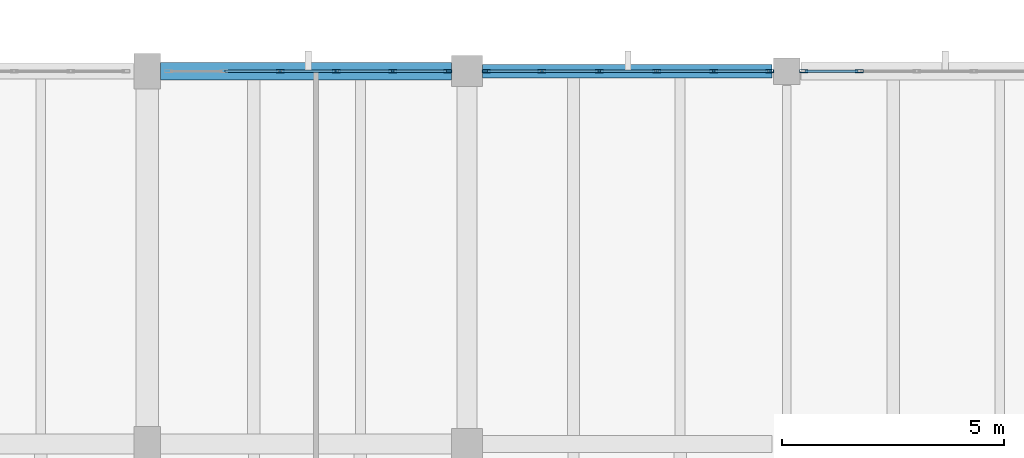
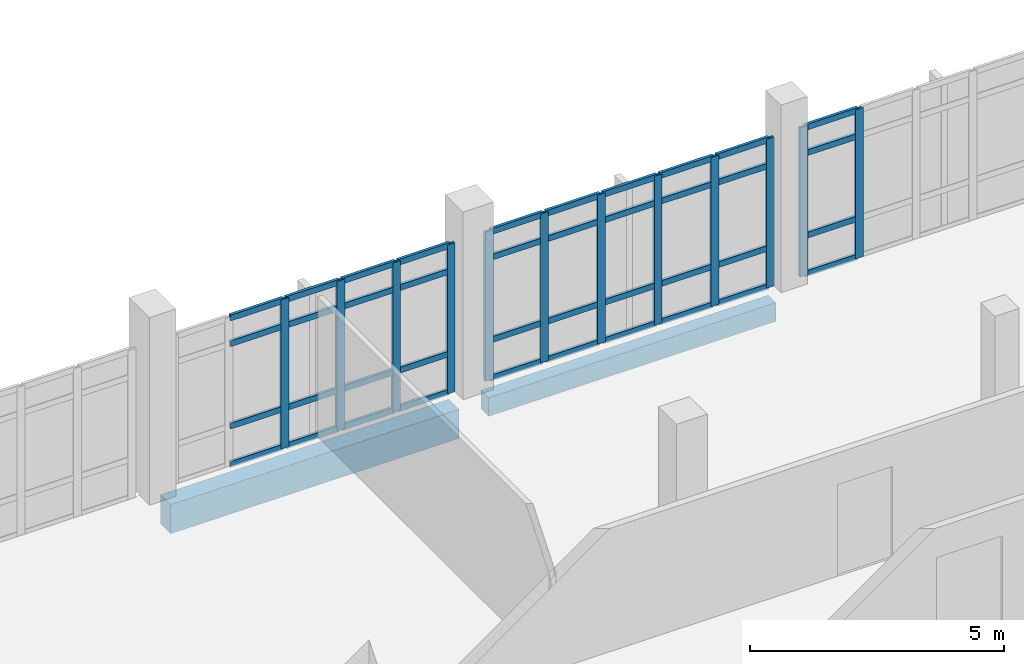
# One storey, part 55 of 87: 52 members, 2 beams, 3 elements without a shape of their own.
"""IFC4 building model written with IfcOpenShell, lengths in metres."""

from ifc_helpers import new_model, si_unit, direction, frame, origin, origin_2d, place, context, subcontext, project, spatial, rectangle, hollow_rectangle, extrude, material, material_profile, profile_set, type_object, element, aggregate, save


model = new_model("IFC4")

# Units and contexts
model_context = context("Model", 3, precision=1e-05, world=origin(), true_north=direction((0.0, 1.0)))
body_context = subcontext(model_context, "Body", "Model", "MODEL_VIEW")
ifc_project = project(units=[si_unit("LENGTHUNIT", "METRE"), si_unit("AREAUNIT", "SQUARE_METRE"), si_unit("VOLUMEUNIT", "CUBIC_METRE"), si_unit("PLANEANGLEUNIT", "RADIAN"), si_unit("MASSUNIT", "GRAM", prefix="KILO")], contexts=[model_context])

# Site, building, storey
site_placement = place(None, origin())
site = spatial("IfcSite", under=ifc_project, at=site_placement, CompositionType="ELEMENT")
building_placement = place(site_placement, origin())
building = spatial("IfcBuilding", under=site, at=building_placement, Name="Kalluvel Institute of Natural Sciences", CompositionType="ELEMENT")
storey_placement = place(building_placement, frame((0.0, 0.0, 18.89990234375)))
storey = spatial("IfcBuildingStorey", under=building, at=storey_placement, Name="L04", CompositionType="ELEMENT", Elevation=18.89990234375)

# Curtain wall, members
ifc_material_1 = material(Name="Aluminium AW-6063 T6", Category="aluminium")
curtain_wall_type = type_object("IfcCurtainWallType", Name="CW-WET-45", PredefinedType="USERDEFINED", material=ifc_material_1)
curtain_wall_1_placement = place(storey_placement, origin())
curtain_wall_1 = element("IfcCurtainWall", 1, at=curtain_wall_1_placement, inside=storey, type_object=curtain_wall_type, Name="L04 Gothic lancet curtain wall CWA-L04-X936-Y1280", ObjectType="UNITISED LANCET FACADE", PredefinedType="USERDEFINED")
ifc_material_profile_1 = material_profile(ifc_material_1, hollow_rectangle(XDim=0.06494140625, YDim=0.179931640625, WallThickness=0.00439453125, at=origin_2d()), Name="CWM 65x180")
ifc_profile_set_1 = profile_set([ifc_material_profile_1], Name="Aluminium AW-6063 T6")
member_type_1 = type_object("IfcMemberType", Name="CWM-65x180", PredefinedType="MULLION", material=ifc_profile_set_1)
member_1_placement = place(storey_placement, frame((96.18994140625, 128.0, 0.0), z_axis=(0.0, 0.0, 1.0), x_axis=(0.0, 1.0, 0.0)))
member_1 = element("IfcMember", 2, at=member_1_placement, type_object=member_type_1, Name="CW-01 mullion 3", PredefinedType="MULLION", context=body_context, shape_type="SweptSolid", body=[
    extrude(hollow_rectangle(XDim=0.06494140625, YDim=0.179931640625, WallThickness=0.00439453125, at=origin_2d()), origin(), (0.0, 0.0, 1.0), 3.580078125),
])
member_2_placement = place(storey_placement, frame((97.4599609375, 128.0, 0.0), z_axis=(0.0, 0.0, 1.0), x_axis=(0.0, 1.0, 0.0)))
member_2 = element("IfcMember", 3, at=member_2_placement, type_object=member_type_1, Name="CW-01 mullion 4", PredefinedType="MULLION", context=body_context, shape_type="SweptSolid", body=[
    extrude(hollow_rectangle(XDim=0.06494140625, YDim=0.179931640625, WallThickness=0.00439453125, at=origin_2d()), origin(), (0.0, 0.0, 1.0), 3.580078125),
])
member_3_placement = place(storey_placement, frame((98.72998046875, 128.0, 0.0), z_axis=(0.0, 0.0, 1.0), x_axis=(0.0, 1.0, 0.0)))
member_3 = element("IfcMember", 4, at=member_3_placement, type_object=member_type_1, Name="CW-01 mullion 5", PredefinedType="MULLION", context=body_context, shape_type="SweptSolid", body=[
    extrude(hollow_rectangle(XDim=0.06494140625, YDim=0.179931640625, WallThickness=0.00439453125, at=origin_2d()), origin(), (0.0, 0.0, 1.0), 3.580078125),
])
member_4_placement = place(storey_placement, frame((99.967529296875, 128.0, 0.0), z_axis=(0.0, 0.0, 1.0), x_axis=(0.0, 1.0, 0.0)))
member_4 = element("IfcMember", 5, at=member_4_placement, type_object=member_type_1, Name="CW-01 mullion 6", PredefinedType="MULLION", context=body_context, shape_type="SweptSolid", body=[
    extrude(hollow_rectangle(XDim=0.06494140625, YDim=0.179931640625, WallThickness=0.00439453125, at=origin_2d()), origin(), (0.0, 0.0, 1.0), 3.580078125),
])

curtain_wall_2_placement = place(storey_placement, origin())
curtain_wall_2 = element("IfcCurtainWall", 6, at=curtain_wall_2_placement, inside=storey, type_object=curtain_wall_type, Name="L04 Gothic lancet curtain wall CWA-L04-X1008-Y1280", ObjectType="UNITISED LANCET FACADE", PredefinedType="USERDEFINED")
member_5_placement = place(storey_placement, frame((100.83251953125, 128.0, 0.0), z_axis=(0.0, 0.0, 1.0), x_axis=(0.0, 1.0, 0.0)))
member_5 = element("IfcMember", 7, at=member_5_placement, type_object=member_type_1, Name="CW-01 mullion 1", PredefinedType="MULLION", context=body_context, shape_type="SweptSolid", body=[
    extrude(hollow_rectangle(XDim=0.06494140625, YDim=0.179931640625, WallThickness=0.00439453125, at=origin_2d()), origin(), (0.0, 0.0, 1.0), 3.580078125),
])
member_6_placement = place(storey_placement, frame((102.090087890625, 128.0, 0.0), z_axis=(0.0, 0.0, 1.0), x_axis=(0.0, 1.0, 0.0)))
member_6 = element("IfcMember", 8, at=member_6_placement, type_object=member_type_1, Name="CW-01 mullion 2", PredefinedType="MULLION", context=body_context, shape_type="SweptSolid", body=[
    extrude(hollow_rectangle(XDim=0.06494140625, YDim=0.179931640625, WallThickness=0.00439453125, at=origin_2d()), origin(), (0.0, 0.0, 1.0), 3.580078125),
])
member_7_placement = place(storey_placement, frame((103.3798828125, 128.0, 0.0), z_axis=(0.0, 0.0, 1.0), x_axis=(0.0, 1.0, 0.0)))
member_7 = element("IfcMember", 9, at=member_7_placement, type_object=member_type_1, Name="CW-01 mullion 3", PredefinedType="MULLION", context=body_context, shape_type="SweptSolid", body=[
    extrude(hollow_rectangle(XDim=0.06494140625, YDim=0.179931640625, WallThickness=0.00439453125, at=origin_2d()), origin(), (0.0, 0.0, 1.0), 3.580078125),
])
member_8_placement = place(storey_placement, frame((104.669921875, 128.0, 0.0), z_axis=(0.0, 0.0, 1.0), x_axis=(0.0, 1.0, 0.0)))
member_8 = element("IfcMember", 10, at=member_8_placement, type_object=member_type_1, Name="CW-01 mullion 4", PredefinedType="MULLION", context=body_context, shape_type="SweptSolid", body=[
    extrude(hollow_rectangle(XDim=0.06494140625, YDim=0.179931640625, WallThickness=0.00439453125, at=origin_2d()), origin(), (0.0, 0.0, 1.0), 3.580078125),
])
member_9_placement = place(storey_placement, frame((105.9599609375, 128.0, 0.0), z_axis=(0.0, 0.0, 1.0), x_axis=(0.0, 1.0, 0.0)))
member_9 = element("IfcMember", 11, at=member_9_placement, type_object=member_type_1, Name="CW-01 mullion 5", PredefinedType="MULLION", context=body_context, shape_type="SweptSolid", body=[
    extrude(hollow_rectangle(XDim=0.06494140625, YDim=0.179931640625, WallThickness=0.00439453125, at=origin_2d()), origin(), (0.0, 0.0, 1.0), 3.580078125),
])
member_10_placement = place(storey_placement, frame((107.217529296875, 128.0, 0.0), z_axis=(0.0, 0.0, 1.0), x_axis=(0.0, 1.0, 0.0)))
member_10 = element("IfcMember", 12, at=member_10_placement, type_object=member_type_1, Name="CW-01 mullion 6", PredefinedType="MULLION", context=body_context, shape_type="SweptSolid", body=[
    extrude(hollow_rectangle(XDim=0.06494140625, YDim=0.179931640625, WallThickness=0.00439453125, at=origin_2d()), origin(), (0.0, 0.0, 1.0), 3.580078125),
])

curtain_wall_3_placement = place(storey_placement, origin())
curtain_wall_3 = element("IfcCurtainWall", 13, at=curtain_wall_3_placement, inside=storey, type_object=curtain_wall_type, Name="L04 Gothic lancet curtain wall CWA-L04-X1080-Y1280", ObjectType="UNITISED LANCET FACADE", PredefinedType="USERDEFINED")
member_11_placement = place(storey_placement, frame((107.982421875, 128.0, 0.0), z_axis=(0.0, 0.0, 1.0), x_axis=(0.0, 1.0, 0.0)))
member_11 = element("IfcMember", 14, at=member_11_placement, type_object=member_type_1, Name="CW-01 mullion 1", PredefinedType="MULLION", context=body_context, shape_type="SweptSolid", body=[
    extrude(hollow_rectangle(XDim=0.06494140625, YDim=0.179931640625, WallThickness=0.00439453125, at=origin_2d()), origin(), (0.0, 0.0, 1.0), 3.580078125),
])
member_12_placement = place(storey_placement, frame((109.239990234375, 128.0, 0.0), z_axis=(0.0, 0.0, 1.0), x_axis=(0.0, 1.0, 0.0)))
member_12 = element("IfcMember", 15, at=member_12_placement, type_object=member_type_1, Name="CW-01 mullion 2", PredefinedType="MULLION", context=body_context, shape_type="SweptSolid", body=[
    extrude(hollow_rectangle(XDim=0.06494140625, YDim=0.179931640625, WallThickness=0.00439453125, at=origin_2d()), origin(), (0.0, 0.0, 1.0), 3.580078125),
])

# Member
ifc_material_profile_2 = material_profile(ifc_material_1, hollow_rectangle(XDim=0.06494140625, YDim=0.139892578125, WallThickness=0.00439453125, at=origin_2d()), Name="CWT 65x140")
ifc_profile_set_2 = profile_set([ifc_material_profile_2], Name="Aluminium AW-6063 T6")
member_type_2 = type_object("IfcMemberType", Name="CWT-65x140", PredefinedType="USERDEFINED", material=ifc_profile_set_2)
member_13_placement = place(storey_placement, frame((94.952392578125, 128.0, 0.03271484375), z_axis=(1.0, 0.0, 0.0), x_axis=(0.0, 1.0, 0.0)))
member_13 = element("IfcMember", 16, at=member_13_placement, type_object=member_type_2, Name="CW-01 transom 2.1", ObjectType="TRANSOM", PredefinedType="USERDEFINED", context=body_context, shape_type="SweptSolid", body=[
    extrude(hollow_rectangle(XDim=0.06494140625, YDim=0.139892578125, WallThickness=0.00439453125, at=origin_2d()), origin(), (0.0, 0.0, 1.0), 1.205078125),
])

member_14_placement = place(storey_placement, frame((94.952392578125, 128.0, 0.9501953125), z_axis=(1.0, 0.0, 0.0), x_axis=(0.0, 1.0, 0.0)))
member_14 = element("IfcMember", 17, at=member_14_placement, type_object=member_type_2, Name="CW-01 transom 2.2", ObjectType="TRANSOM", PredefinedType="USERDEFINED", context=body_context, shape_type="SweptSolid", body=[
    extrude(hollow_rectangle(XDim=0.06494140625, YDim=0.139892578125, WallThickness=0.00439453125, at=origin_2d()), origin(), (0.0, 0.0, 1.0), 1.205078125),
])

member_15_placement = place(storey_placement, frame((94.952392578125, 128.0, 2.93017578125), z_axis=(1.0, 0.0, 0.0), x_axis=(0.0, 1.0, 0.0)))
member_15 = element("IfcMember", 18, at=member_15_placement, type_object=member_type_2, Name="CW-01 transom 2.3", ObjectType="TRANSOM", PredefinedType="USERDEFINED", context=body_context, shape_type="SweptSolid", body=[
    extrude(hollow_rectangle(XDim=0.06494140625, YDim=0.139892578125, WallThickness=0.00439453125, at=origin_2d()), origin(), (0.0, 0.0, 1.0), 1.205078125),
])

member_16_placement = place(storey_placement, frame((94.952392578125, 128.0, 3.547607421875), z_axis=(1.0, 0.0, 0.0), x_axis=(0.0, 1.0, 0.0)))
member_16 = element("IfcMember", 19, at=member_16_placement, type_object=member_type_2, Name="CW-01 transom 2.4", ObjectType="TRANSOM", PredefinedType="USERDEFINED", context=body_context, shape_type="SweptSolid", body=[
    extrude(hollow_rectangle(XDim=0.06494140625, YDim=0.139892578125, WallThickness=0.00439453125, at=origin_2d()), origin(), (0.0, 0.0, 1.0), 1.205078125),
])

member_17_placement = place(storey_placement, frame((96.222412109375, 128.0, 0.03271484375), z_axis=(1.0, 0.0, 0.0), x_axis=(0.0, 1.0, 0.0)))
member_17 = element("IfcMember", 20, at=member_17_placement, type_object=member_type_2, Name="CW-01 transom 3.1", ObjectType="TRANSOM", PredefinedType="USERDEFINED", context=body_context, shape_type="SweptSolid", body=[
    extrude(hollow_rectangle(XDim=0.06494140625, YDim=0.139892578125, WallThickness=0.00439453125, at=origin_2d()), origin(), (0.0, 0.0, 1.0), 1.205078125),
])

member_18_placement = place(storey_placement, frame((96.222412109375, 128.0, 0.9501953125), z_axis=(1.0, 0.0, 0.0), x_axis=(0.0, 1.0, 0.0)))
member_18 = element("IfcMember", 21, at=member_18_placement, type_object=member_type_2, Name="CW-01 transom 3.2", ObjectType="TRANSOM", PredefinedType="USERDEFINED", context=body_context, shape_type="SweptSolid", body=[
    extrude(hollow_rectangle(XDim=0.06494140625, YDim=0.139892578125, WallThickness=0.00439453125, at=origin_2d()), origin(), (0.0, 0.0, 1.0), 1.205078125),
])

member_19_placement = place(storey_placement, frame((96.222412109375, 128.0, 2.93017578125), z_axis=(1.0, 0.0, 0.0), x_axis=(0.0, 1.0, 0.0)))
member_19 = element("IfcMember", 22, at=member_19_placement, type_object=member_type_2, Name="CW-01 transom 3.3", ObjectType="TRANSOM", PredefinedType="USERDEFINED", context=body_context, shape_type="SweptSolid", body=[
    extrude(hollow_rectangle(XDim=0.06494140625, YDim=0.139892578125, WallThickness=0.00439453125, at=origin_2d()), origin(), (0.0, 0.0, 1.0), 1.205078125),
])

member_20_placement = place(storey_placement, frame((96.222412109375, 128.0, 3.547607421875), z_axis=(1.0, 0.0, 0.0), x_axis=(0.0, 1.0, 0.0)))
member_20 = element("IfcMember", 23, at=member_20_placement, type_object=member_type_2, Name="CW-01 transom 3.4", ObjectType="TRANSOM", PredefinedType="USERDEFINED", context=body_context, shape_type="SweptSolid", body=[
    extrude(hollow_rectangle(XDim=0.06494140625, YDim=0.139892578125, WallThickness=0.00439453125, at=origin_2d()), origin(), (0.0, 0.0, 1.0), 1.205078125),
])

member_21_placement = place(storey_placement, frame((97.492431640625, 128.0, 0.03271484375), z_axis=(1.0, 0.0, 0.0), x_axis=(0.0, 1.0, 0.0)))
member_21 = element("IfcMember", 24, at=member_21_placement, type_object=member_type_2, Name="CW-01 transom 4.1", ObjectType="TRANSOM", PredefinedType="USERDEFINED", context=body_context, shape_type="SweptSolid", body=[
    extrude(hollow_rectangle(XDim=0.06494140625, YDim=0.139892578125, WallThickness=0.00439453125, at=origin_2d()), origin(), (0.0, 0.0, 1.0), 1.205078125),
])

member_22_placement = place(storey_placement, frame((97.492431640625, 128.0, 0.9501953125), z_axis=(1.0, 0.0, 0.0), x_axis=(0.0, 1.0, 0.0)))
member_22 = element("IfcMember", 25, at=member_22_placement, type_object=member_type_2, Name="CW-01 transom 4.2", ObjectType="TRANSOM", PredefinedType="USERDEFINED", context=body_context, shape_type="SweptSolid", body=[
    extrude(hollow_rectangle(XDim=0.06494140625, YDim=0.139892578125, WallThickness=0.00439453125, at=origin_2d()), origin(), (0.0, 0.0, 1.0), 1.205078125),
])

member_23_placement = place(storey_placement, frame((97.492431640625, 128.0, 2.93017578125), z_axis=(1.0, 0.0, 0.0), x_axis=(0.0, 1.0, 0.0)))
member_23 = element("IfcMember", 26, at=member_23_placement, type_object=member_type_2, Name="CW-01 transom 4.3", ObjectType="TRANSOM", PredefinedType="USERDEFINED", context=body_context, shape_type="SweptSolid", body=[
    extrude(hollow_rectangle(XDim=0.06494140625, YDim=0.139892578125, WallThickness=0.00439453125, at=origin_2d()), origin(), (0.0, 0.0, 1.0), 1.205078125),
])

member_24_placement = place(storey_placement, frame((97.492431640625, 128.0, 3.547607421875), z_axis=(1.0, 0.0, 0.0), x_axis=(0.0, 1.0, 0.0)))
member_24 = element("IfcMember", 27, at=member_24_placement, type_object=member_type_2, Name="CW-01 transom 4.4", ObjectType="TRANSOM", PredefinedType="USERDEFINED", context=body_context, shape_type="SweptSolid", body=[
    extrude(hollow_rectangle(XDim=0.06494140625, YDim=0.139892578125, WallThickness=0.00439453125, at=origin_2d()), origin(), (0.0, 0.0, 1.0), 1.205078125),
])

member_25_placement = place(storey_placement, frame((98.762451171875, 128.0, 0.03271484375), z_axis=(1.0, 0.0, 0.0), x_axis=(0.0, 1.0, 0.0)))
member_25 = element("IfcMember", 28, at=member_25_placement, type_object=member_type_2, Name="CW-01 transom 5.1", ObjectType="TRANSOM", PredefinedType="USERDEFINED", context=body_context, shape_type="SweptSolid", body=[
    extrude(hollow_rectangle(XDim=0.06494140625, YDim=0.139892578125, WallThickness=0.00439453125, at=origin_2d()), origin(), (0.0, 0.0, 1.0), 1.172607421875),
])

member_26_placement = place(storey_placement, frame((98.762451171875, 128.0, 0.9501953125), z_axis=(1.0, 0.0, 0.0), x_axis=(0.0, 1.0, 0.0)))
member_26 = element("IfcMember", 29, at=member_26_placement, type_object=member_type_2, Name="CW-01 transom 5.2", ObjectType="TRANSOM", PredefinedType="USERDEFINED", context=body_context, shape_type="SweptSolid", body=[
    extrude(hollow_rectangle(XDim=0.06494140625, YDim=0.139892578125, WallThickness=0.00439453125, at=origin_2d()), origin(), (0.0, 0.0, 1.0), 1.172607421875),
])

member_27_placement = place(storey_placement, frame((98.762451171875, 128.0, 2.93017578125), z_axis=(1.0, 0.0, 0.0), x_axis=(0.0, 1.0, 0.0)))
member_27 = element("IfcMember", 30, at=member_27_placement, type_object=member_type_2, Name="CW-01 transom 5.3", ObjectType="TRANSOM", PredefinedType="USERDEFINED", context=body_context, shape_type="SweptSolid", body=[
    extrude(hollow_rectangle(XDim=0.06494140625, YDim=0.139892578125, WallThickness=0.00439453125, at=origin_2d()), origin(), (0.0, 0.0, 1.0), 1.172607421875),
])

member_28_placement = place(storey_placement, frame((98.762451171875, 128.0, 3.547607421875), z_axis=(1.0, 0.0, 0.0), x_axis=(0.0, 1.0, 0.0)))
member_28 = element("IfcMember", 31, at=member_28_placement, type_object=member_type_2, Name="CW-01 transom 5.4", ObjectType="TRANSOM", PredefinedType="USERDEFINED", context=body_context, shape_type="SweptSolid", body=[
    extrude(hollow_rectangle(XDim=0.06494140625, YDim=0.139892578125, WallThickness=0.00439453125, at=origin_2d()), origin(), (0.0, 0.0, 1.0), 1.172607421875),
])

aggregate(curtain_wall_1, [member_1, member_2, member_3, member_4, member_13, member_14, member_15, member_16, member_17, member_18, member_19, member_20, member_21, member_22, member_23, member_24, member_25, member_26, member_27, member_28])

member_29_placement = place(storey_placement, frame((100.864990234375, 128.0, 0.03271484375), z_axis=(1.0, 0.0, 0.0), x_axis=(0.0, 1.0, 0.0)))
member_29 = element("IfcMember", 32, at=member_29_placement, type_object=member_type_2, Name="CW-01 transom 1.1", ObjectType="TRANSOM", PredefinedType="USERDEFINED", context=body_context, shape_type="SweptSolid", body=[
    extrude(hollow_rectangle(XDim=0.06494140625, YDim=0.139892578125, WallThickness=0.00439453125, at=origin_2d()), origin(), (0.0, 0.0, 1.0), 1.192626953125),
])

member_30_placement = place(storey_placement, frame((100.864990234375, 128.0, 0.9501953125), z_axis=(1.0, 0.0, 0.0), x_axis=(0.0, 1.0, 0.0)))
member_30 = element("IfcMember", 33, at=member_30_placement, type_object=member_type_2, Name="CW-01 transom 1.2", ObjectType="TRANSOM", PredefinedType="USERDEFINED", context=body_context, shape_type="SweptSolid", body=[
    extrude(hollow_rectangle(XDim=0.06494140625, YDim=0.139892578125, WallThickness=0.00439453125, at=origin_2d()), origin(), (0.0, 0.0, 1.0), 1.192626953125),
])

member_31_placement = place(storey_placement, frame((100.864990234375, 128.0, 2.93017578125), z_axis=(1.0, 0.0, 0.0), x_axis=(0.0, 1.0, 0.0)))
member_31 = element("IfcMember", 34, at=member_31_placement, type_object=member_type_2, Name="CW-01 transom 1.3", ObjectType="TRANSOM", PredefinedType="USERDEFINED", context=body_context, shape_type="SweptSolid", body=[
    extrude(hollow_rectangle(XDim=0.06494140625, YDim=0.139892578125, WallThickness=0.00439453125, at=origin_2d()), origin(), (0.0, 0.0, 1.0), 1.192626953125),
])

member_32_placement = place(storey_placement, frame((100.864990234375, 128.0, 3.547607421875), z_axis=(1.0, 0.0, 0.0), x_axis=(0.0, 1.0, 0.0)))
member_32 = element("IfcMember", 35, at=member_32_placement, type_object=member_type_2, Name="CW-01 transom 1.4", ObjectType="TRANSOM", PredefinedType="USERDEFINED", context=body_context, shape_type="SweptSolid", body=[
    extrude(hollow_rectangle(XDim=0.06494140625, YDim=0.139892578125, WallThickness=0.00439453125, at=origin_2d()), origin(), (0.0, 0.0, 1.0), 1.192626953125),
])

member_33_placement = place(storey_placement, frame((102.12255859375, 128.0, 0.03271484375), z_axis=(1.0, 0.0, 0.0), x_axis=(0.0, 1.0, 0.0)))
member_33 = element("IfcMember", 36, at=member_33_placement, type_object=member_type_2, Name="CW-01 transom 2.1", ObjectType="TRANSOM", PredefinedType="USERDEFINED", context=body_context, shape_type="SweptSolid", body=[
    extrude(hollow_rectangle(XDim=0.06494140625, YDim=0.139892578125, WallThickness=0.00439453125, at=origin_2d()), origin(), (0.0, 0.0, 1.0), 1.224853515625),
])

member_34_placement = place(storey_placement, frame((102.12255859375, 128.0, 0.9501953125), z_axis=(1.0, 0.0, 0.0), x_axis=(0.0, 1.0, 0.0)))
member_34 = element("IfcMember", 37, at=member_34_placement, type_object=member_type_2, Name="CW-01 transom 2.2", ObjectType="TRANSOM", PredefinedType="USERDEFINED", context=body_context, shape_type="SweptSolid", body=[
    extrude(hollow_rectangle(XDim=0.06494140625, YDim=0.139892578125, WallThickness=0.00439453125, at=origin_2d()), origin(), (0.0, 0.0, 1.0), 1.224853515625),
])

member_35_placement = place(storey_placement, frame((102.12255859375, 128.0, 2.93017578125), z_axis=(1.0, 0.0, 0.0), x_axis=(0.0, 1.0, 0.0)))
member_35 = element("IfcMember", 38, at=member_35_placement, type_object=member_type_2, Name="CW-01 transom 2.3", ObjectType="TRANSOM", PredefinedType="USERDEFINED", context=body_context, shape_type="SweptSolid", body=[
    extrude(hollow_rectangle(XDim=0.06494140625, YDim=0.139892578125, WallThickness=0.00439453125, at=origin_2d()), origin(), (0.0, 0.0, 1.0), 1.224853515625),
])

member_36_placement = place(storey_placement, frame((102.12255859375, 128.0, 3.547607421875), z_axis=(1.0, 0.0, 0.0), x_axis=(0.0, 1.0, 0.0)))
member_36 = element("IfcMember", 39, at=member_36_placement, type_object=member_type_2, Name="CW-01 transom 2.4", ObjectType="TRANSOM", PredefinedType="USERDEFINED", context=body_context, shape_type="SweptSolid", body=[
    extrude(hollow_rectangle(XDim=0.06494140625, YDim=0.139892578125, WallThickness=0.00439453125, at=origin_2d()), origin(), (0.0, 0.0, 1.0), 1.224853515625),
])

member_37_placement = place(storey_placement, frame((103.41259765625, 128.0, 0.03271484375), z_axis=(1.0, 0.0, 0.0), x_axis=(0.0, 1.0, 0.0)))
member_37 = element("IfcMember", 40, at=member_37_placement, type_object=member_type_2, Name="CW-01 transom 3.1", ObjectType="TRANSOM", PredefinedType="USERDEFINED", context=body_context, shape_type="SweptSolid", body=[
    extrude(hollow_rectangle(XDim=0.06494140625, YDim=0.139892578125, WallThickness=0.00439453125, at=origin_2d()), origin(), (0.0, 0.0, 1.0), 1.224853515625),
])

member_38_placement = place(storey_placement, frame((103.41259765625, 128.0, 0.9501953125), z_axis=(1.0, 0.0, 0.0), x_axis=(0.0, 1.0, 0.0)))
member_38 = element("IfcMember", 41, at=member_38_placement, type_object=member_type_2, Name="CW-01 transom 3.2", ObjectType="TRANSOM", PredefinedType="USERDEFINED", context=body_context, shape_type="SweptSolid", body=[
    extrude(hollow_rectangle(XDim=0.06494140625, YDim=0.139892578125, WallThickness=0.00439453125, at=origin_2d()), origin(), (0.0, 0.0, 1.0), 1.224853515625),
])

member_39_placement = place(storey_placement, frame((103.41259765625, 128.0, 2.93017578125), z_axis=(1.0, 0.0, 0.0), x_axis=(0.0, 1.0, 0.0)))
member_39 = element("IfcMember", 42, at=member_39_placement, type_object=member_type_2, Name="CW-01 transom 3.3", ObjectType="TRANSOM", PredefinedType="USERDEFINED", context=body_context, shape_type="SweptSolid", body=[
    extrude(hollow_rectangle(XDim=0.06494140625, YDim=0.139892578125, WallThickness=0.00439453125, at=origin_2d()), origin(), (0.0, 0.0, 1.0), 1.224853515625),
])

member_40_placement = place(storey_placement, frame((103.41259765625, 128.0, 3.547607421875), z_axis=(1.0, 0.0, 0.0), x_axis=(0.0, 1.0, 0.0)))
member_40 = element("IfcMember", 43, at=member_40_placement, type_object=member_type_2, Name="CW-01 transom 3.4", ObjectType="TRANSOM", PredefinedType="USERDEFINED", context=body_context, shape_type="SweptSolid", body=[
    extrude(hollow_rectangle(XDim=0.06494140625, YDim=0.139892578125, WallThickness=0.00439453125, at=origin_2d()), origin(), (0.0, 0.0, 1.0), 1.224853515625),
])

member_41_placement = place(storey_placement, frame((104.702392578125, 128.0, 0.03271484375), z_axis=(1.0, 0.0, 0.0), x_axis=(0.0, 1.0, 0.0)))
member_41 = element("IfcMember", 44, at=member_41_placement, type_object=member_type_2, Name="CW-01 transom 4.1", ObjectType="TRANSOM", PredefinedType="USERDEFINED", context=body_context, shape_type="SweptSolid", body=[
    extrude(hollow_rectangle(XDim=0.06494140625, YDim=0.139892578125, WallThickness=0.00439453125, at=origin_2d()), origin(), (0.0, 0.0, 1.0), 1.22509765625),
])

member_42_placement = place(storey_placement, frame((104.702392578125, 128.0, 0.9501953125), z_axis=(1.0, 0.0, 0.0), x_axis=(0.0, 1.0, 0.0)))
member_42 = element("IfcMember", 45, at=member_42_placement, type_object=member_type_2, Name="CW-01 transom 4.2", ObjectType="TRANSOM", PredefinedType="USERDEFINED", context=body_context, shape_type="SweptSolid", body=[
    extrude(hollow_rectangle(XDim=0.06494140625, YDim=0.139892578125, WallThickness=0.00439453125, at=origin_2d()), origin(), (0.0, 0.0, 1.0), 1.22509765625),
])

member_43_placement = place(storey_placement, frame((104.702392578125, 128.0, 2.93017578125), z_axis=(1.0, 0.0, 0.0), x_axis=(0.0, 1.0, 0.0)))
member_43 = element("IfcMember", 46, at=member_43_placement, type_object=member_type_2, Name="CW-01 transom 4.3", ObjectType="TRANSOM", PredefinedType="USERDEFINED", context=body_context, shape_type="SweptSolid", body=[
    extrude(hollow_rectangle(XDim=0.06494140625, YDim=0.139892578125, WallThickness=0.00439453125, at=origin_2d()), origin(), (0.0, 0.0, 1.0), 1.22509765625),
])

member_44_placement = place(storey_placement, frame((104.702392578125, 128.0, 3.547607421875), z_axis=(1.0, 0.0, 0.0), x_axis=(0.0, 1.0, 0.0)))
member_44 = element("IfcMember", 47, at=member_44_placement, type_object=member_type_2, Name="CW-01 transom 4.4", ObjectType="TRANSOM", PredefinedType="USERDEFINED", context=body_context, shape_type="SweptSolid", body=[
    extrude(hollow_rectangle(XDim=0.06494140625, YDim=0.139892578125, WallThickness=0.00439453125, at=origin_2d()), origin(), (0.0, 0.0, 1.0), 1.22509765625),
])

member_45_placement = place(storey_placement, frame((105.992431640625, 128.0, 0.03271484375), z_axis=(1.0, 0.0, 0.0), x_axis=(0.0, 1.0, 0.0)))
member_45 = element("IfcMember", 48, at=member_45_placement, type_object=member_type_2, Name="CW-01 transom 5.1", ObjectType="TRANSOM", PredefinedType="USERDEFINED", context=body_context, shape_type="SweptSolid", body=[
    extrude(hollow_rectangle(XDim=0.06494140625, YDim=0.139892578125, WallThickness=0.00439453125, at=origin_2d()), origin(), (0.0, 0.0, 1.0), 1.192626953125),
])

member_46_placement = place(storey_placement, frame((105.992431640625, 128.0, 0.9501953125), z_axis=(1.0, 0.0, 0.0), x_axis=(0.0, 1.0, 0.0)))
member_46 = element("IfcMember", 49, at=member_46_placement, type_object=member_type_2, Name="CW-01 transom 5.2", ObjectType="TRANSOM", PredefinedType="USERDEFINED", context=body_context, shape_type="SweptSolid", body=[
    extrude(hollow_rectangle(XDim=0.06494140625, YDim=0.139892578125, WallThickness=0.00439453125, at=origin_2d()), origin(), (0.0, 0.0, 1.0), 1.192626953125),
])

member_47_placement = place(storey_placement, frame((105.992431640625, 128.0, 2.93017578125), z_axis=(1.0, 0.0, 0.0), x_axis=(0.0, 1.0, 0.0)))
member_47 = element("IfcMember", 50, at=member_47_placement, type_object=member_type_2, Name="CW-01 transom 5.3", ObjectType="TRANSOM", PredefinedType="USERDEFINED", context=body_context, shape_type="SweptSolid", body=[
    extrude(hollow_rectangle(XDim=0.06494140625, YDim=0.139892578125, WallThickness=0.00439453125, at=origin_2d()), origin(), (0.0, 0.0, 1.0), 1.192626953125),
])

member_48_placement = place(storey_placement, frame((105.992431640625, 128.0, 3.547607421875), z_axis=(1.0, 0.0, 0.0), x_axis=(0.0, 1.0, 0.0)))
member_48 = element("IfcMember", 51, at=member_48_placement, type_object=member_type_2, Name="CW-01 transom 5.4", ObjectType="TRANSOM", PredefinedType="USERDEFINED", context=body_context, shape_type="SweptSolid", body=[
    extrude(hollow_rectangle(XDim=0.06494140625, YDim=0.139892578125, WallThickness=0.00439453125, at=origin_2d()), origin(), (0.0, 0.0, 1.0), 1.192626953125),
])

aggregate(curtain_wall_2, [member_5, member_6, member_7, member_8, member_9, member_10, member_29, member_30, member_31, member_32, member_33, member_34, member_35, member_36, member_37, member_38, member_39, member_40, member_41, member_42, member_43, member_44, member_45, member_46, member_47, member_48])

member_49_placement = place(storey_placement, frame((108.014892578125, 128.0, 0.03271484375), z_axis=(1.0, 0.0, 0.0), x_axis=(0.0, 1.0, 0.0)))
member_49 = element("IfcMember", 52, at=member_49_placement, type_object=member_type_2, Name="CW-01 transom 1.1", ObjectType="TRANSOM", PredefinedType="USERDEFINED", context=body_context, shape_type="SweptSolid", body=[
    extrude(hollow_rectangle(XDim=0.06494140625, YDim=0.139892578125, WallThickness=0.00439453125, at=origin_2d()), origin(), (0.0, 0.0, 1.0), 1.192626953125),
])

member_50_placement = place(storey_placement, frame((108.014892578125, 128.0, 0.9501953125), z_axis=(1.0, 0.0, 0.0), x_axis=(0.0, 1.0, 0.0)))
member_50 = element("IfcMember", 53, at=member_50_placement, type_object=member_type_2, Name="CW-01 transom 1.2", ObjectType="TRANSOM", PredefinedType="USERDEFINED", context=body_context, shape_type="SweptSolid", body=[
    extrude(hollow_rectangle(XDim=0.06494140625, YDim=0.139892578125, WallThickness=0.00439453125, at=origin_2d()), origin(), (0.0, 0.0, 1.0), 1.192626953125),
])

member_51_placement = place(storey_placement, frame((108.014892578125, 128.0, 2.93017578125), z_axis=(1.0, 0.0, 0.0), x_axis=(0.0, 1.0, 0.0)))
member_51 = element("IfcMember", 54, at=member_51_placement, type_object=member_type_2, Name="CW-01 transom 1.3", ObjectType="TRANSOM", PredefinedType="USERDEFINED", context=body_context, shape_type="SweptSolid", body=[
    extrude(hollow_rectangle(XDim=0.06494140625, YDim=0.139892578125, WallThickness=0.00439453125, at=origin_2d()), origin(), (0.0, 0.0, 1.0), 1.192626953125),
])

member_52_placement = place(storey_placement, frame((108.014892578125, 128.0, 3.547607421875), z_axis=(1.0, 0.0, 0.0), x_axis=(0.0, 1.0, 0.0)))
member_52 = element("IfcMember", 55, at=member_52_placement, type_object=member_type_2, Name="CW-01 transom 1.4", ObjectType="TRANSOM", PredefinedType="USERDEFINED", context=body_context, shape_type="SweptSolid", body=[
    extrude(hollow_rectangle(XDim=0.06494140625, YDim=0.139892578125, WallThickness=0.00439453125, at=origin_2d()), origin(), (0.0, 0.0, 1.0), 1.192626953125),
])

aggregate(curtain_wall_3, [member_11, member_12, member_49, member_50, member_51, member_52])

# Beams
ifc_material_2 = material(Name="Concrete M40", Category="concrete")
ifc_material_profile_3 = material_profile(ifc_material_2, rectangle(XDim=0.300048828125, YDim=0.449951171875, at=origin_2d()), Name="RCB 300x450")
ifc_profile_set_3 = profile_set([ifc_material_profile_3], Name="Concrete M40")
beam_type_1 = type_object("IfcBeamType", Name="SP-RC300x450", PredefinedType="SPANDREL", material=ifc_profile_set_3)
beam_1_placement = place(storey_placement, frame((100.75, 128.0, -0.544921875), z_axis=(1.0, 0.0, 0.0), x_axis=(0.0, 1.0, 0.0)))
element("IfcBeam", 56, at=beam_1_placement, inside=storey, type_object=beam_type_1, Name="L04 girder GIR-L04-EW-X1004-Y1280", PredefinedType="SPANDREL", context=body_context, shape_type="SweptSolid", body=[
    extrude(rectangle(XDim=0.300048828125, YDim=0.449951171875, at=origin_2d()), origin(), (0.0, 0.0, 1.0), 6.52490234375),
])
ifc_material_profile_4 = material_profile(ifc_material_2, rectangle(XDim=0.39990234375, YDim=0.699951171875, at=origin_2d()), Name="RCB 400x700")
ifc_profile_set_4 = profile_set([ifc_material_profile_4], Name="Concrete M40")
beam_type_2 = type_object("IfcBeamType", Name="SP-RC400x700", PredefinedType="SPANDREL", material=ifc_profile_set_4)
beam_2_placement = place(storey_placement, frame((93.5, 128.0, -0.669921875), z_axis=(1.0, 0.0, 0.0), x_axis=(0.0, 1.0, 0.0)))
element("IfcBeam", 57, at=beam_2_placement, inside=storey, type_object=beam_type_2, Name="L04 girder GIR-L04-EW-X932-Y1280", PredefinedType="SPANDREL", context=body_context, shape_type="SweptSolid", body=[
    extrude(rectangle(XDim=0.39990234375, YDim=0.699951171875, at=origin_2d()), origin(), (0.0, 0.0, 1.0), 6.550048828125),
])

save(model, "model.ifc")
